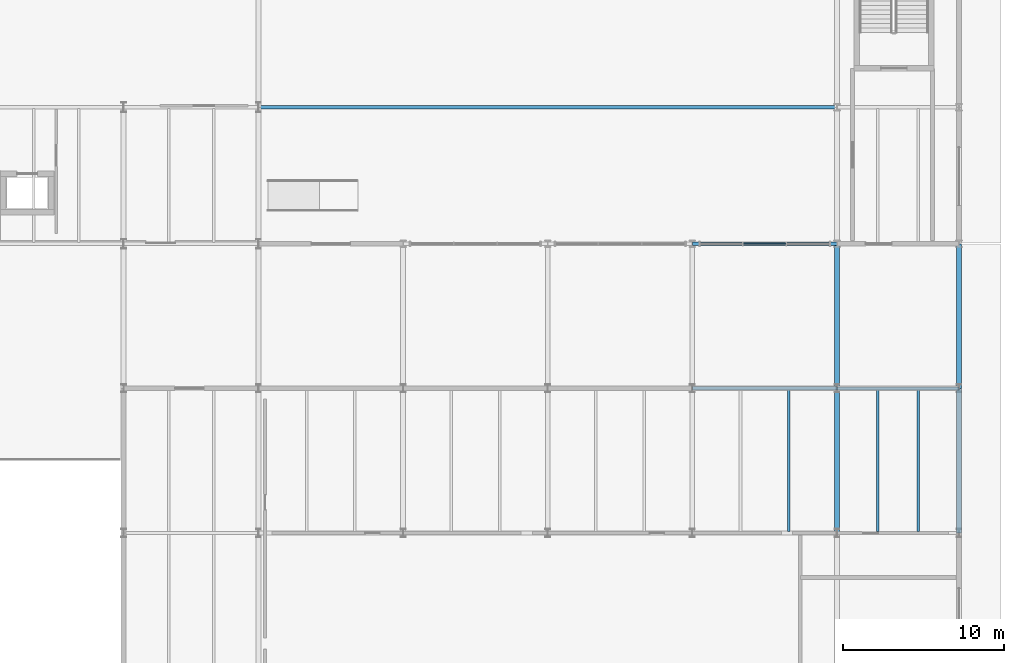
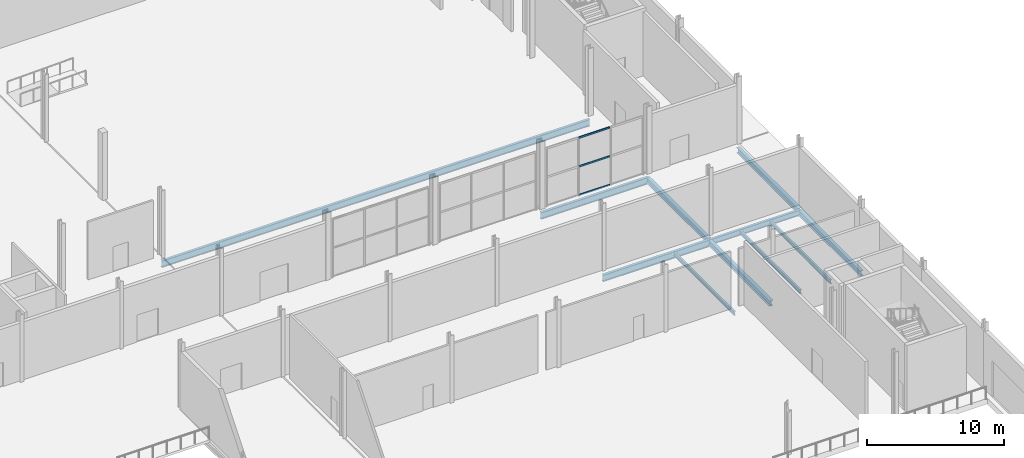
# One storey, part 43 of 84: 11 beams, 3 members, 1 element without a shape of its own.
"""IFC4 building model written with IfcOpenShell, lengths in metres."""

from ifc_helpers import new_model, si_unit, direction, frame, origin, origin_2d, place, context, subcontext, project, spatial, rectangle, i_section, extrude, material, layer, layer_set, material_profile, profile_set, type_object, element, aggregate, save


model = new_model("IFC4")

# Units and contexts
model_context = context("Model", 3, precision=1e-05, world=origin(), true_north=direction((0.0, 1.0)))
body_context = subcontext(model_context, "Body", "Model", "MODEL_VIEW")
ifc_project = project(units=[si_unit("LENGTHUNIT", "METRE"), si_unit("AREAUNIT", "SQUARE_METRE"), si_unit("VOLUMEUNIT", "CUBIC_METRE"), si_unit("PLANEANGLEUNIT", "RADIAN"), si_unit("MASSUNIT", "GRAM", prefix="KILO")], contexts=[model_context])

# Site, building, storey
site_placement = place(None, origin())
site = spatial("IfcSite", under=ifc_project, at=site_placement, CompositionType="ELEMENT")
building_placement = place(site_placement, origin())
building = spatial("IfcBuilding", under=site, at=building_placement, Name="Sefraquen Railside Congress Hotel", CompositionType="ELEMENT")
storey_placement = place(building_placement, origin())
storey = spatial("IfcBuildingStorey", under=building, at=storey_placement, Name="L00", CompositionType="ELEMENT", Elevation=0.0)

# Beams
ifc_material_1 = material(Name="Steel S355JR", Category="steel")
ifc_material_profile_1 = material_profile(ifc_material_1, i_section(OverallWidth=0.199951171875, OverallDepth=0.5, WebThickness=0.01025390625, FlangeThickness=0.01611328125, FilletRadius=0.02099609375, at=origin_2d()), Name="IPE 500")
ifc_profile_set_1 = profile_set([ifc_material_profile_1], Name="Steel S355JR")
beam_type_1 = type_object("IfcBeamType", Name="TB-BM-500", PredefinedType="BEAM", material=ifc_profile_set_1)
beam_1_placement = place(storey_placement, frame((164.39990234375, 45.0, -0.75), z_axis=(1.0, 0.0, 0.0), x_axis=(0.0, 1.0, 0.0)))
element("IfcBeam", 1, at=beam_1_placement, inside=storey, type_object=beam_type_1, Name="Primary girder BM-L00-0053", PredefinedType="BEAM", context=body_context, shape_type="SweptSolid", body=[
    extrude(i_section(OverallWidth=0.199951171875, OverallDepth=0.5, WebThickness=0.01025390625, FlangeThickness=0.01611328125, FilletRadius=0.02099609375, at=origin_2d()), origin(), (0.0, 0.0, 1.0), 7.60009765625),
])
ifc_material_profile_2 = material_profile(ifc_material_1, i_section(OverallWidth=0.300048828125, OverallDepth=0.489990234375, WebThickness=0.011962890625, FlangeThickness=0.02294921875, FilletRadius=0.027099609375, at=origin_2d()), Name="HEA 500")
ifc_profile_set_2 = profile_set([ifc_material_profile_2], Name="Steel S355JR")
beam_type_2 = type_object("IfcBeamType", Name="TB-GIR-500", PredefinedType="T_BEAM", material=ifc_profile_set_2)
for number, where, z_axis, x_axis, name in (
    (2, (164.39990234375, 36.0, -0.7451171875), (0.0, 1.0, 0.0), (-1.0, 0.0, 0.0), "Floor beam BM-L00-0322"),
    (3, (164.39990234375, 45.0, -0.64501953125), (0.0, 1.0, 0.0), (-1.0, 0.0, 0.0), "Floor beam BM-L00-0323"),
    (4, (172.0, 36.0, -0.7451171875), (0.0, 1.0, 0.0), (-1.0, 0.0, 0.0), "Floor beam BM-L00-0332"),
    (5, (172.0, 45.0, -0.64501953125), (0.0, 1.0, 0.0), (-1.0, 0.0, 0.0), "Floor beam BM-L00-0333"),
):
    element("IfcBeam", number, at=place(storey_placement, frame(where, z_axis=z_axis, x_axis=x_axis)), inside=storey, type_object=beam_type_2, Name=name, PredefinedType="T_BEAM", context=body_context, shape_type="SweptSolid", body=[
        extrude(i_section(OverallWidth=0.300048828125, OverallDepth=0.489990234375, WebThickness=0.011962890625, FlangeThickness=0.02294921875, FilletRadius=0.027099609375, at=origin_2d()), origin(), (0.0, 0.0, 1.0), 9.0),
    ])
ifc_material_profile_3 = material_profile(ifc_material_1, i_section(OverallWidth=0.219970703125, OverallDepth=0.60009765625, WebThickness=0.011962890625, FlangeThickness=0.01904296875, FilletRadius=0.02392578125, at=origin_2d()), Name="IPE 600")
ifc_profile_set_3 = profile_set([ifc_material_profile_3], Name="Steel S355JR")
beam_type_3 = type_object("IfcBeamType", Name="TB-GIR-600", PredefinedType="T_BEAM", material=ifc_profile_set_3)
for number, where, z_axis, x_axis, name in (
    (6, (155.39990234375, 45.0, -0.800048828125), (1.0, 0.0, 0.0), (0.0, 1.0, 0.0), "Primary girder BM-L00-0052"),
    (7, (155.39990234375, 54.0, -0.699951171875), (1.0, 0.0, 0.0), (0.0, 1.0, 0.0), "Primary girder BM-L00-0070"),
):
    element("IfcBeam", number, at=place(storey_placement, frame(where, z_axis=z_axis, x_axis=x_axis)), inside=storey, type_object=beam_type_3, Name=name, PredefinedType="T_BEAM", context=body_context, shape_type="SweptSolid", body=[
        extrude(i_section(OverallWidth=0.219970703125, OverallDepth=0.60009765625, WebThickness=0.011962890625, FlangeThickness=0.01904296875, FilletRadius=0.02392578125, at=origin_2d()), origin(), (0.0, 0.0, 1.0), 9.0),
    ])
beam_2_placement = place(storey_placement, frame((128.39990234375, 62.5, -0.699951171875), z_axis=(1.0, 0.0, 0.0), x_axis=(0.0, 1.0, 0.0)))
element("IfcBeam", 8, at=beam_2_placement, inside=storey, type_object=beam_type_3, Name="Primary girder BM-L00-0080", PredefinedType="T_BEAM", context=body_context, shape_type="SweptSolid", body=[
    extrude(i_section(OverallWidth=0.219970703125, OverallDepth=0.60009765625, WebThickness=0.011962890625, FlangeThickness=0.01904296875, FilletRadius=0.02392578125, at=origin_2d()), origin(), (0.0, 0.0, 1.0), 36.0),
])
ifc_material_profile_4 = material_profile(ifc_material_1, i_section(OverallWidth=0.159912109375, OverallDepth=0.330078125, WebThickness=0.007568359375, FlangeThickness=0.011474609375, FilletRadius=0.01806640625, at=origin_2d()), Name="IPE 330")
ifc_profile_set_4 = profile_set([ifc_material_profile_4], Name="Steel S355JR")
beam_type_4 = type_object("IfcBeamType", Name="TB-JST-330", PredefinedType="JOIST", material=ifc_profile_set_4)
beam_3_placement = place(storey_placement, frame((161.39990234375, 36.090087890625, -0.6650390625), z_axis=(0.0, 1.0, 0.0), x_axis=(-1.0, 0.0, 0.0)))
element("IfcBeam", 9, at=beam_3_placement, inside=storey, type_object=beam_type_4, Name="Composite floor joist BM-L00-J0198", PredefinedType="JOIST", context=body_context, shape_type="SweptSolid", body=[
    extrude(i_section(OverallWidth=0.159912109375, OverallDepth=0.330078125, WebThickness=0.007568359375, FlangeThickness=0.011474609375, FilletRadius=0.01806640625, at=origin_2d()), origin(), (0.0, 0.0, 1.0), 8.81982421875),
])
for number, where, z_axis, x_axis, name in (
    (10, (166.933349609375, 36.080078125, -0.6650390625), (0.0, 1.0, 0.0), (-1.0, 0.0, 0.0), "Composite floor joist BM-L00-J0199"),
    (11, (169.466796875, 36.080078125, -0.6650390625), (0.0, 1.0, 0.0), (-1.0, 0.0, 0.0), "Composite floor joist BM-L00-J0200"),
):
    element("IfcBeam", number, at=place(storey_placement, frame(where, z_axis=z_axis, x_axis=x_axis)), inside=storey, type_object=beam_type_4, Name=name, PredefinedType="JOIST", context=body_context, shape_type="SweptSolid", body=[
        extrude(i_section(OverallWidth=0.159912109375, OverallDepth=0.330078125, WebThickness=0.007568359375, FlangeThickness=0.011474609375, FilletRadius=0.01806640625, at=origin_2d()), origin(), (0.0, 0.0, 1.0), 8.83984375),
    ])

# Curtain wall, members
ifc_material_2 = material(Name="Thermally broken anodised aluminium and low-E double glazing", Category="aluminium")
ifc_layer = layer(ifc_material_2, 0.199951171875)
ifc_layer_set = layer_set([ifc_layer], Name="Thermally broken anodised aluminium and low-E double glazing")
curtain_wall_type = type_object("IfcCurtainWallType", Name="TCW-UCW-11", PredefinedType="USERDEFINED", material=ifc_layer_set)
curtain_wall_placement = place(storey_placement, origin())
curtain_wall = element("IfcCurtainWall", 12, at=curtain_wall_placement, inside=storey, type_object=curtain_wall_type, Name="Grand Ballroom south garden curtain wall UCW-11", ObjectType="UNITISED CURTAIN WALL", PredefinedType="USERDEFINED")
ifc_material_3 = material(Name="Thermally broken anodised aluminium 6063-T6", Category="aluminium")
ifc_material_profile_5 = material_profile(ifc_material_3, rectangle(XDim=0.070068359375, YDim=0.14990234375, at=origin_2d()), Name="CWT 70x150")
ifc_profile_set_5 = profile_set([ifc_material_profile_5], Name="Thermally broken anodised aluminium 6063-T6")
member_type = type_object("IfcMemberType", Name="TM-CWT-03", PredefinedType="USERDEFINED", material=ifc_profile_set_5)
member_1_placement = place(storey_placement, frame((158.591796875, 54.0, 0.0), z_axis=(1.0, 0.0, 0.0), x_axis=(0.0, 1.0, 0.0)))
member_1 = element("IfcMember", 13, at=member_1_placement, type_object=member_type, Name="CW-L00-011 transom 1.2", ObjectType="TRANSOM", PredefinedType="USERDEFINED", context=body_context, shape_type="SweptSolid", body=[
    extrude(rectangle(XDim=0.070068359375, YDim=0.14990234375, at=origin_2d()), origin(), (0.0, 0.0, 1.0), 2.616455078125),
])
member_2_placement = place(storey_placement, frame((158.591796875, 54.0, 2.550048828125), z_axis=(1.0, 0.0, 0.0), x_axis=(0.0, 1.0, 0.0)))
member_2 = element("IfcMember", 14, at=member_2_placement, type_object=member_type, Name="CW-L00-011 transom 2.2", ObjectType="TRANSOM", PredefinedType="USERDEFINED", context=body_context, shape_type="SweptSolid", body=[
    extrude(rectangle(XDim=0.070068359375, YDim=0.14990234375, at=origin_2d()), origin(), (0.0, 0.0, 1.0), 2.616455078125),
])
member_3_placement = place(storey_placement, frame((158.591796875, 54.0, 5.10009765625), z_axis=(1.0, 0.0, 0.0), x_axis=(0.0, 1.0, 0.0)))
member_3 = element("IfcMember", 15, at=member_3_placement, type_object=member_type, Name="CW-L00-011 transom 3.2", ObjectType="TRANSOM", PredefinedType="USERDEFINED", context=body_context, shape_type="SweptSolid", body=[
    extrude(rectangle(XDim=0.070068359375, YDim=0.14990234375, at=origin_2d()), origin(), (0.0, 0.0, 1.0), 2.616455078125),
])
aggregate(curtain_wall, [member_1, member_2, member_3])

save(model, "model.ifc")
